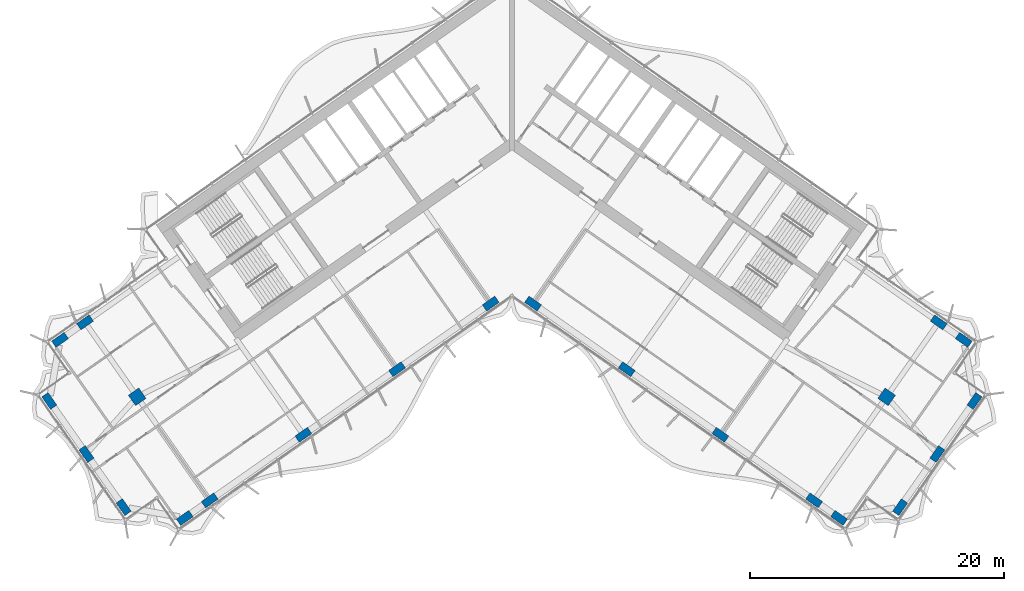
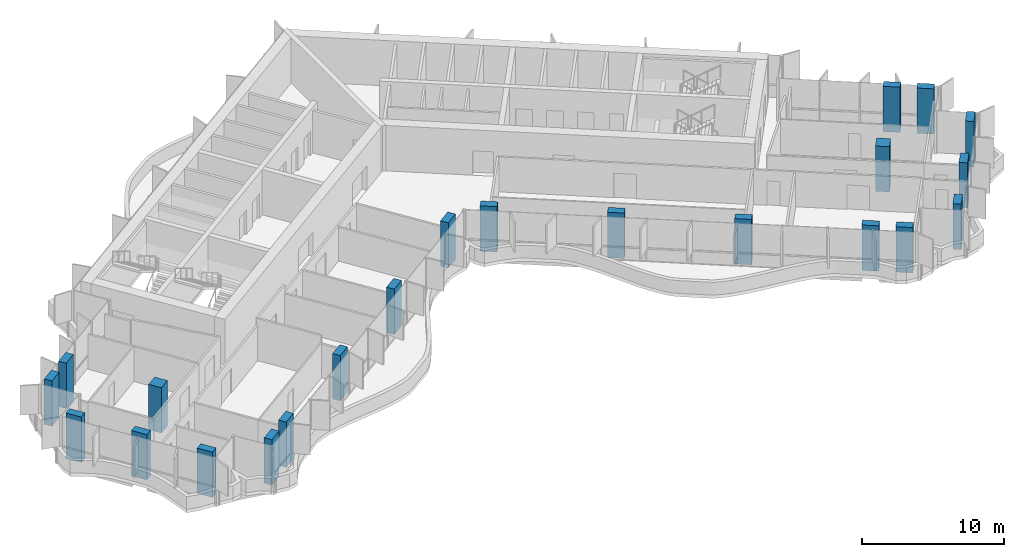
# One storey, part 1 of 23: 22 columns.
"""IFC4 building model written with IfcOpenShell, lengths in metres."""

from ifc_helpers import new_model, si_unit, direction, frame, origin, origin_2d, place, context, subcontext, project, spatial, rectangle, extrude, material, material_profile, profile_set, type_object, element, save


model = new_model("IFC4")

# Units and contexts
model_context = context("Model", 3, precision=1e-05, world=origin(), true_north=direction((0.0, 1.0)))
body_context = subcontext(model_context, "Body", "Model", "MODEL_VIEW")
ifc_project = project(units=[si_unit("LENGTHUNIT", "METRE"), si_unit("AREAUNIT", "SQUARE_METRE"), si_unit("VOLUMEUNIT", "CUBIC_METRE"), si_unit("PLANEANGLEUNIT", "RADIAN"), si_unit("MASSUNIT", "GRAM", prefix="KILO")], contexts=[model_context])

# Site, building, storey
site_placement = place(None, origin())
site = spatial("IfcSite", under=ifc_project, at=site_placement, CompositionType="ELEMENT")
building_placement = place(site_placement, origin())
building = spatial("IfcBuilding", under=site, at=building_placement, Name="Tel Ilan Convention Tower", CompositionType="ELEMENT")
storey_placement = place(building_placement, frame((0.0, 0.0, 182.699951171875)))
storey = spatial("IfcBuildingStorey", under=building, at=storey_placement, Name="L42", CompositionType="ELEMENT", Elevation=182.699951171875)

# Columns
ifc_material_1 = material(Name="Concrete C50/60", Category="concrete")
ifc_material_profile_1 = material_profile(ifc_material_1, rectangle(XDim=1.0, YDim=1.0, at=origin_2d()), Name="RC 1000x1000")
ifc_profile_set_1 = profile_set([ifc_material_profile_1], Name="Concrete C50/60")
column_type_1 = type_object("IfcColumnType", Name="Column RC 1000x1000 C50/60", PredefinedType="COLUMN", material=ifc_profile_set_1)
for number, where, z_axis, x_axis, name in (
    (1, (-29.489501953125, -20.648681640625, 0.0), (0.0, 0.0, 1.0), (-0.819152044289, -0.573576436351, 0.0), "L42 column W-M4"),
    (2, (29.489501953125, -20.648681640625, 0.0), (0.0, 0.0, 1.0), (0.819152044289, -0.573576436351, 0.0), "L42 column E-M4"),
):
    element("IfcColumn", number, at=place(storey_placement, frame(where, z_axis=z_axis, x_axis=x_axis)), inside=storey, type_object=column_type_1, Name=name, PredefinedType="COLUMN", context=body_context, shape_type="SweptSolid", body=[
        extrude(rectangle(XDim=1.0, YDim=1.0, at=origin_2d()), origin(), (0.0, 0.0, 1.0), 3.900146484375),
    ])
ifc_material_2 = material(Name="Concrete C50/60", Category="concrete")
ifc_material_profile_2 = material_profile(ifc_material_2, rectangle(XDim=1.199951171875, YDim=0.60009765625, at=origin_2d()), Name="RC 600x1200")
ifc_profile_set_2 = profile_set([ifc_material_profile_2], Name="Concrete C50/60")
column_type_2 = type_object("IfcColumnType", Name="Column RC 600x1200 C50/60", PredefinedType="COLUMN", material=ifc_profile_set_2)
for number, where, z_axis, x_axis, name in (
    (3, (-1.665283203125, -13.312744140625, 0.0), (0.0, 0.0, 1.0), (-0.819152044289, -0.573576436351, 0.0), "L42 column W-F1"),
    (4, (-9.03759765625, -18.474853515625, 0.0), (0.0, 0.0, 1.0), (-0.819152044289, -0.573576436351, 0.0), "L42 column W-F2"),
    (5, (-16.409912109375, -23.63720703125, 0.0), (0.0, 0.0, 1.0), (-0.819152044289, -0.573576436351, 0.0), "L42 column W-F3"),
    (6, (-23.782470703125, -28.79931640625, 0.0), (0.0, 0.0, 1.0), (-0.819152044289, -0.573576436351, 0.0), "L42 column W-F4"),
    (7, (-25.748291015625, -30.17578125, 0.0), (0.0, 0.0, 1.0), (-0.819152044289, -0.573576436351, 0.0), "L42 column W-FC"),
    (8, (-33.590576171875, -14.791748046875, 0.0), (0.0, 0.0, 1.0), (-0.819152044289, -0.573576436351, 0.0), "L42 column W-B4"),
    (9, (-35.556396484375, -16.16845703125, 0.0), (0.0, 0.0, 1.0), (-0.819152044289, -0.573576436351, 0.0), "L42 column W-BC"),
    (10, (-30.55322265625, -29.32861328125, 0.0), (0.0, 0.0, 1.0), (-0.573576436351, 0.819152044289, 0.0), "L42 column W-E1"),
    (11, (-33.478515625, -25.15087890625, 0.0), (0.0, 0.0, 1.0), (-0.573576436351, 0.819152044289, 0.0), "L42 column W-E2"),
    (12, (-36.40380859375, -20.973388671875, 0.0), (0.0, 0.0, 1.0), (-0.573576436351, 0.819152044289, 0.0), "L42 column W-E3"),
    (13, (1.665283203125, -13.312744140625, 0.0), (0.0, 0.0, 1.0), (0.819152044289, -0.573576436351, 0.0), "L42 column E-F1"),
    (14, (9.03759765625, -18.474853515625, 0.0), (0.0, 0.0, 1.0), (0.819152044289, -0.573576436351, 0.0), "L42 column E-F2"),
    (15, (16.409912109375, -23.63720703125, 0.0), (0.0, 0.0, 1.0), (0.819152044289, -0.573576436351, 0.0), "L42 column E-F3"),
    (16, (23.782470703125, -28.79931640625, 0.0), (0.0, 0.0, 1.0), (0.819152044289, -0.573576436351, 0.0), "L42 column E-F4"),
    (17, (25.748291015625, -30.17578125, 0.0), (0.0, 0.0, 1.0), (0.819152044289, -0.573576436351, 0.0), "L42 column E-FC"),
    (18, (33.590576171875, -14.791748046875, 0.0), (0.0, 0.0, 1.0), (0.819152044289, -0.573576436351, 0.0), "L42 column E-B4"),
    (19, (35.556396484375, -16.16845703125, 0.0), (0.0, 0.0, 1.0), (0.819152044289, -0.573576436351, 0.0), "L42 column E-BC"),
    (20, (30.55322265625, -29.32861328125, 0.0), (0.0, 0.0, 1.0), (0.573576436351, 0.819152044289, 0.0), "L42 column E-E1"),
    (21, (33.478515625, -25.15087890625, 0.0), (0.0, 0.0, 1.0), (0.573576436351, 0.819152044289, 0.0), "L42 column E-E2"),
    (22, (36.40380859375, -20.973388671875, 0.0), (0.0, 0.0, 1.0), (0.573576436351, 0.819152044289, 0.0), "L42 column E-E3"),
):
    element("IfcColumn", number, at=place(storey_placement, frame(where, z_axis=z_axis, x_axis=x_axis)), inside=storey, type_object=column_type_2, Name=name, PredefinedType="COLUMN", context=body_context, shape_type="SweptSolid", body=[
        extrude(rectangle(XDim=1.199951171875, YDim=0.60009765625, at=origin_2d()), origin(), (0.0, 0.0, 1.0), 3.900146484375),
    ])

save(model, "model.ifc")
